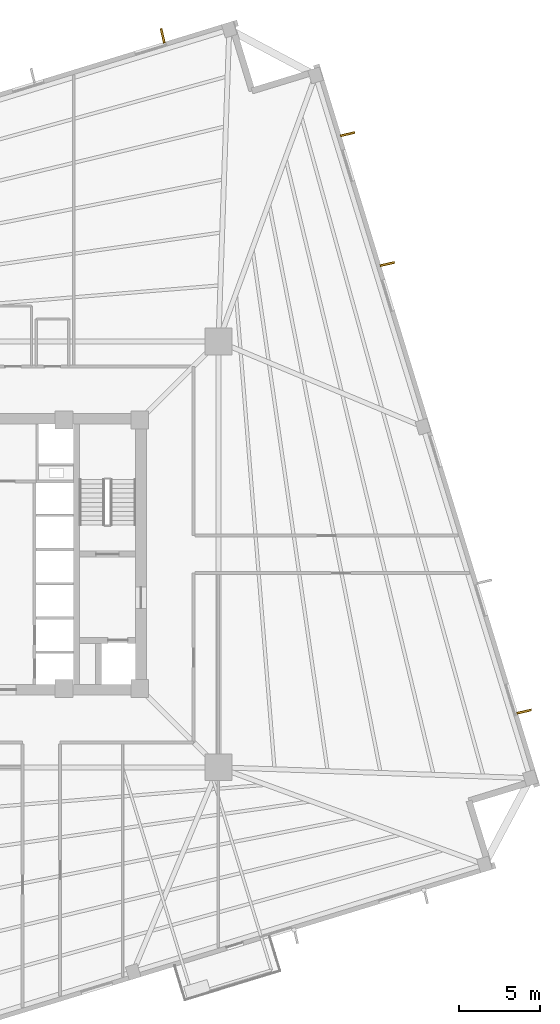
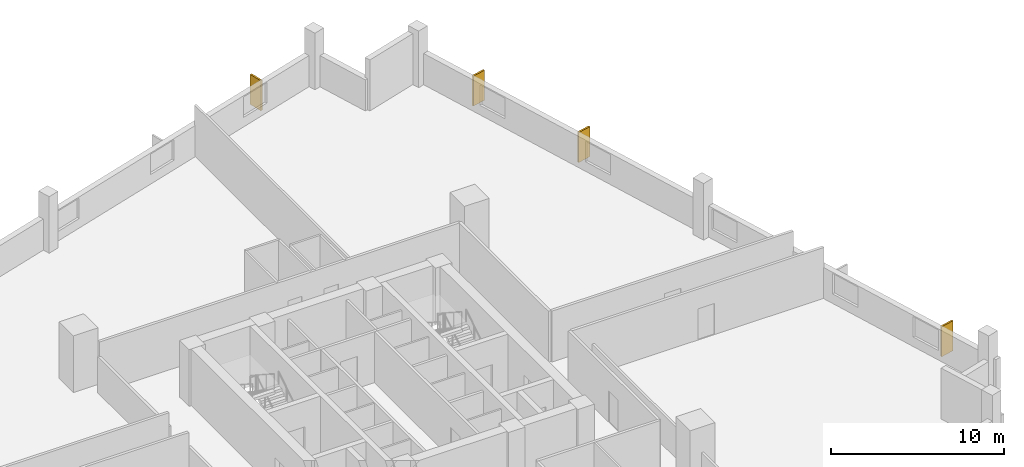
# One storey, part 8 of 8: 4 coverings.
"""IFC4 building model written with IfcOpenShell, lengths in metres."""

from ifc_helpers import new_model, si_unit, direction, frame, origin, origin_2d, place, context, subcontext, project, spatial, rectangle, extrude, source, transform, mapped, material, layer, layer_set, type_object, element, save


model = new_model("IFC4")

# Units and contexts
model_context = context("Model", 3, precision=1e-05, world=origin(), true_north=direction((0.0, 1.0)))
body_context = subcontext(model_context, "Body", "Model", "MODEL_VIEW")
ifc_project = project(units=[si_unit("LENGTHUNIT", "METRE"), si_unit("AREAUNIT", "SQUARE_METRE"), si_unit("VOLUMEUNIT", "CUBIC_METRE"), si_unit("PLANEANGLEUNIT", "RADIAN"), si_unit("MASSUNIT", "GRAM", prefix="KILO"), si_unit("THERMODYNAMICTEMPERATUREUNIT", "KELVIN")], contexts=[model_context])

# Site, building, storey
site_placement = place(None, origin())
site = spatial("IfcSite", under=ifc_project, at=site_placement, CompositionType="ELEMENT")
building_placement = place(site_placement, origin())
building = spatial("IfcBuilding", under=site, at=building_placement, Name="Kosmvard Interchange Tower", CompositionType="ELEMENT")
storey_placement = place(building_placement, frame((0.0, 0.0, 135.199951171875)))
storey = spatial("IfcBuildingStorey", under=building, at=storey_placement, Name="L32", CompositionType="ELEMENT", Elevation=135.199951171875)

# Coverings
ifc_material = material(Name="Architectural anodised aluminium", Category="aluminium")
ifc_layer = layer(ifc_material, 0.1201171875, Name="Architectural anodised aluminium")
ifc_layer_set = layer_set([ifc_layer], Name="Architectural anodised aluminium")
covering_type = type_object("IfcCoveringType", Name="Rotating Vertical Sun-Breaker Fin 900x120 Aluminium", PredefinedType="CLADDING", material=ifc_layer_set)
shared_shape = source(origin(), body_context, "Body", "SweptSolid", [
    extrude(rectangle(XDim=0.89990234375, YDim=0.1201171875, at=origin_2d()), origin(), (0.0, 0.0, 1.0), 2.1201171875),
])
for number, where, z_axis, x_axis, name in (
    (1, (31.865966796875, -9.6572265625, 0.0400390625), (0.0, 0.0, 1.0), (0.973698333648, 0.227841074111, 0.0), "L32 Rotating Vertical Sun-Breaker Fin 05"),
    (2, (23.45849609375, 17.841796875, 0.0400390625), (0.0, 0.0, 1.0), (0.973698333648, 0.227841074111, 0.0), "L32 Rotating Vertical Sun-Breaker Fin 07"),
    (3, (21.017822265625, 25.825439453125, 0.0400390625), (0.0, 0.0, 1.0), (0.973698333648, 0.227841074111, 0.0), "L32 Rotating Vertical Sun-Breaker Fin 08"),
    (4, (9.6572265625, 31.865966796875, 0.0400390625), (0.0, 0.0, 1.0), (-0.227841074111, 0.973698333648, 0.0), "L32 Rotating Vertical Sun-Breaker Fin 09"),
):
    element("IfcCovering", number, at=place(storey_placement, frame(where, z_axis=z_axis, x_axis=x_axis)), inside=storey, type_object=covering_type, Name=name, PredefinedType="CLADDING", context=body_context, shape_type="MappedRepresentation", body=[
        mapped(shared_shape, transform((0.0, 0.0, 0.0), scale=1.0)),
    ])

save(model, "model.ifc")
